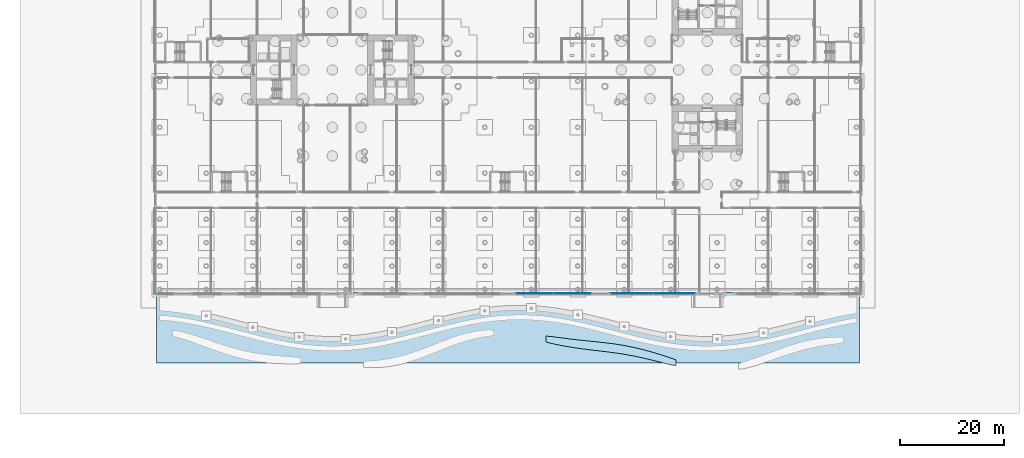
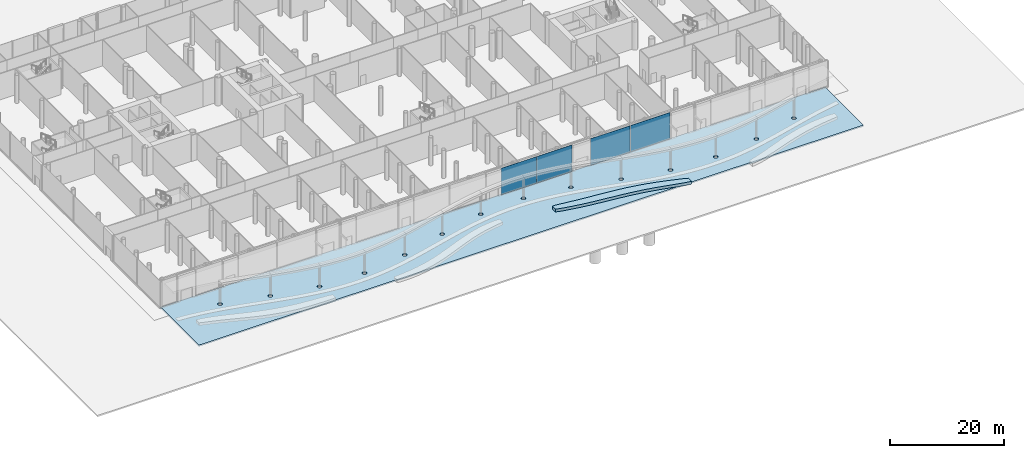
# One storey, part 21 of 75: 4 plates, 2 slabs, 2 elements without a shape of their own.
"""IFC4 building model written with IfcOpenShell, lengths in metres."""

from ifc_helpers import new_model, si_unit, direction, frame, origin, origin_2d, place, context, subcontext, project, spatial, polyline, rectangle, outline, extrude, material, layer, layer_set, type_object, element, aggregate, save


model = new_model("IFC4")

# Units and contexts
model_context = context("Model", 3, precision=1e-05, world=origin(), true_north=direction((0.0, 1.0)))
body_context = subcontext(model_context, "Body", "Model", "MODEL_VIEW")
ifc_project = project(units=[si_unit("LENGTHUNIT", "METRE"), si_unit("AREAUNIT", "SQUARE_METRE"), si_unit("VOLUMEUNIT", "CUBIC_METRE"), si_unit("PLANEANGLEUNIT", "RADIAN"), si_unit("MASSUNIT", "GRAM", prefix="KILO")], contexts=[model_context])

# Site, building, storey
site_placement = place(None, origin())
site = spatial("IfcSite", under=ifc_project, at=site_placement, CompositionType="ELEMENT")
building_placement = place(site_placement, origin())
building = spatial("IfcBuilding", under=site, at=building_placement, Name="Ipe Terrace Towers", CompositionType="ELEMENT")
storey_placement = place(building_placement, origin())
storey = spatial("IfcBuildingStorey", under=building, at=storey_placement, Name="L00", CompositionType="ELEMENT", Elevation=0.0)

# Slab
ifc_material_1 = material(Name="Concrete C30/37", Category="concrete")
ifc_layer_1 = layer(ifc_material_1, 0.60009765625)
ifc_layer_set_1 = layer_set([ifc_layer_1], Name="CURVED PLANTING RIBBON 600")
slab_type_1 = type_object("IfcSlabType", Name="CURVED PLANTING RIBBON 600", PredefinedType="USERDEFINED", material=ifc_layer_set_1)
slab_1_placement = place(storey_placement, origin())
element("IfcSlab", 1, at=slab_1_placement, inside=storey, type_object=slab_type_1, Name="curved planting ribbon", ObjectType="PLANTER", PredefinedType="USERDEFINED", context=body_context, shape_type="SweptSolid", body=[
    extrude(outline(polyline([(5.0, -51.113037109375), (6.0, -51.19091796875), (7.0, -51.323974609375), (8.0, -51.4580078125), (9.0, -51.5869140625), (10.0, -51.7099609375), (11.0, -51.823974609375), (12.0, -51.931884765625), (13.0, -52.035888671875), (14.0, -52.137939453125), (15.0, -52.241943359375), (16.0, -52.35107421875), (17.0, -52.468994140625), (18.0, -52.60107421875), (19.0, -52.748046875), (20.0, -52.9150390625), (21.0, -53.10302734375), (22.0, -53.31298828125), (23.0, -53.544921875), (24.0, -53.799072265625), (25.0, -54.073974609375), (26.0, -54.364990234375), (27.0, -54.6708984375), (28.0, -54.987060546875), (29.0, -55.31396484375), (30.0, -55.695068359375), (30.0, -56.800048828125), (29.0, -56.62890625), (28.0, -56.388916015625), (27.0, -56.136962890625), (26.0, -55.883056640625), (25.0, -55.635009765625), (24.0, -55.39697265625), (23.0, -55.172119140625), (22.0, -54.964111328125), (21.0, -54.77294921875), (20.0, -54.60009765625), (19.0, -54.443115234375), (18.0, -54.300048828125), (17.0, -54.1689453125), (16.0, -54.0458984375), (15.0, -53.927001953125), (14.0, -53.80908203125), (13.0, -53.68798828125), (12.0, -53.56005859375), (11.0, -53.4208984375), (10.0, -53.27099609375), (9.0, -53.10498046875), (8.0, -52.924072265625), (7.0, -52.72509765625), (6.0, -52.506103515625), (5.0, -52.218017578125), (5.0, -51.113037109375)])), origin(), (0.0, 0.0, 1.0), 0.60009765625),
])

# Curtain wall, plates
ifc_material_2 = material(Name="Aluminium alloy 6063-T6", Category="aluminium")
ifc_layer_2 = layer(ifc_material_2, 0.43994140625)
ifc_layer_set_2 = layer_set([ifc_layer_2], Name="PODIUM GLAZING CURTAIN WALL")
curtain_wall_type = type_object("IfcCurtainWallType", Name="PODIUM GLAZING CURTAIN WALL", PredefinedType="NOTDEFINED", material=ifc_layer_set_2)
curtain_wall_1_placement = place(storey_placement, origin())
curtain_wall_1 = element("IfcCurtainWall", 2, at=curtain_wall_1_placement, inside=storey, type_object=curtain_wall_type, Name="POD-CW-L00-03m curtain wall", PredefinedType="NOTDEFINED")
ifc_material_3 = material(Name="Glass, clear laminated", Category="glass")
ifc_layer_3 = layer(ifc_material_3, 0.035888671875)
ifc_layer_set_3 = layer_set([ifc_layer_3], Name="PODIUM GLAZING GLASS PANEL 36")
plate_type = type_object("IfcPlateType", Name="PODIUM GLAZING GLASS PANEL 36", PredefinedType="CURTAIN_PANEL", material=ifc_layer_set_3)
plate_1_placement = place(storey_placement, frame((2.905029296875, -42.89990234375, 0.0), z_axis=(0.0, 0.0, 1.0), x_axis=(1.0, 0.0, 0.0)))
plate_1 = element("IfcPlate", 3, at=plate_1_placement, type_object=plate_type, Name="POD-CW-L00-03m panel 1", PredefinedType="CURTAIN_PANEL", context=body_context, shape_type="SweptSolid", body=[
    extrude(rectangle(XDim=7.14990234375, YDim=0.035888671875, at=origin_2d()), origin(), (0.0, 0.0, 1.0), 5.699951171875),
])
plate_2_placement = place(storey_placement, frame((10.135009765625, -42.89990234375, 0.0), z_axis=(0.0, 0.0, 1.0), x_axis=(1.0, 0.0, 0.0)))
plate_2 = element("IfcPlate", 4, at=plate_2_placement, type_object=plate_type, Name="POD-CW-L00-03m panel 2", PredefinedType="CURTAIN_PANEL", context=body_context, shape_type="SweptSolid", body=[
    extrude(rectangle(XDim=7.14990234375, YDim=0.035888671875, at=origin_2d()), origin(), (0.0, 0.0, 1.0), 5.699951171875),
])
aggregate(curtain_wall_1, [plate_1, plate_2])

curtain_wall_2_placement = place(storey_placement, origin())
curtain_wall_2 = element("IfcCurtainWall", 5, at=curtain_wall_2_placement, inside=storey, type_object=curtain_wall_type, Name="POD-CW-L00-03o curtain wall", PredefinedType="NOTDEFINED")
plate_3_placement = place(storey_placement, frame((21.5, -42.89990234375, 0.0), z_axis=(0.0, 0.0, 1.0), x_axis=(1.0, 0.0, 0.0)))
plate_3 = element("IfcPlate", 6, at=plate_3_placement, type_object=plate_type, Name="POD-CW-L00-03o panel 1", PredefinedType="CURTAIN_PANEL", context=body_context, shape_type="SweptSolid", body=[
    extrude(rectangle(XDim=8.06005859375, YDim=0.035888671875, at=origin_2d()), origin(), (0.0, 0.0, 1.0), 5.699951171875),
])
plate_4_placement = place(storey_placement, frame((29.639892578125, -42.89990234375, 0.0), z_axis=(0.0, 0.0, 1.0), x_axis=(1.0, 0.0, 0.0)))
plate_4 = element("IfcPlate", 7, at=plate_4_placement, type_object=plate_type, Name="POD-CW-L00-03o panel 2", PredefinedType="CURTAIN_PANEL", context=body_context, shape_type="SweptSolid", body=[
    extrude(rectangle(XDim=8.06005859375, YDim=0.035888671875, at=origin_2d()), origin(), (0.0, 0.0, 1.0), 5.699951171875),
])
aggregate(curtain_wall_2, [plate_3, plate_4])

# Slab
ifc_material_4 = material(Name="Concrete C30/37 paving", Category="concrete")
ifc_layer_4 = layer(ifc_material_4, 0.300048828125)
ifc_layer_set_4 = layer_set([ifc_layer_4], Name="PROMENADE PAVING 300")
slab_type_2 = type_object("IfcSlabType", Name="PROMENADE PAVING 300", PredefinedType="USERDEFINED", material=ifc_layer_set_4)
slab_2_placement = place(storey_placement, frame((0.0, 0.0, -0.300048828125)))
element("IfcSlab", 8, at=slab_2_placement, inside=storey, type_object=slab_type_2, Name="waterfront promenade paving", ObjectType="PAVING", PredefinedType="USERDEFINED", context=body_context, shape_type="SweptSolid", body=[
    extrude(outline(polyline([(65.25, -56.25), (65.25, -42.75), (-69.75, -42.75), (-69.75, -56.25), (65.25, -56.25)]), holes=[polyline([(-59.81005859375, -47.18798828125), (-59.818115234375, -47.27001953125), (-59.842041015625, -47.34912109375), (-59.881103515625, -47.4208984375), (-59.93310546875, -47.485107421875), (-59.9970703125, -47.537109375), (-60.069091796875, -47.575927734375), (-60.14794921875, -47.60009765625), (-60.22998046875, -47.60791015625), (-60.31201171875, -47.60009765625), (-60.39111328125, -47.575927734375), (-60.462890625, -47.537109375), (-60.527099609375, -47.485107421875), (-60.5791015625, -47.4208984375), (-60.617919921875, -47.34912109375), (-60.64208984375, -47.27001953125), (-60.64990234375, -47.18798828125), (-60.64208984375, -47.10595703125), (-60.617919921875, -47.027099609375), (-60.5791015625, -46.955078125), (-60.527099609375, -46.89111328125), (-60.462890625, -46.839111328125), (-60.39111328125, -46.800048828125), (-60.31201171875, -46.77587890625), (-60.22998046875, -46.76806640625), (-60.14794921875, -46.77587890625), (-60.069091796875, -46.800048828125), (-59.9970703125, -46.839111328125), (-59.93310546875, -46.89111328125), (-59.881103515625, -46.955078125), (-59.842041015625, -47.027099609375), (-59.818115234375, -47.10595703125), (-59.81005859375, -47.18798828125)]), polyline([(-50.889892578125, -49.43798828125), (-50.89794921875, -49.52001953125), (-50.922119140625, -49.59912109375), (-50.9609375, -49.6708984375), (-51.012939453125, -49.735107421875), (-51.076904296875, -49.787109375), (-51.14892578125, -49.825927734375), (-51.22802734375, -49.85009765625), (-51.31005859375, -49.85791015625), (-51.39208984375, -49.85009765625), (-51.470947265625, -49.825927734375), (-51.54296875, -49.787109375), (-51.60693359375, -49.735107421875), (-51.658935546875, -49.6708984375), (-51.697998046875, -49.59912109375), (-51.721923828125, -49.52001953125), (-51.72998046875, -49.43798828125), (-51.721923828125, -49.35595703125), (-51.697998046875, -49.277099609375), (-51.658935546875, -49.205078125), (-51.60693359375, -49.14111328125), (-51.54296875, -49.089111328125), (-51.470947265625, -49.050048828125), (-51.39208984375, -49.02587890625), (-51.31005859375, -49.01806640625), (-51.22802734375, -49.02587890625), (-51.14892578125, -49.050048828125), (-51.076904296875, -49.089111328125), (-51.012939453125, -49.14111328125), (-50.9609375, -49.205078125), (-50.922119140625, -49.277099609375), (-50.89794921875, -49.35595703125), (-50.889892578125, -49.43798828125)]), polyline([(-41.969970703125, -51.285888671875), (-41.97802734375, -51.367919921875), (-42.001953125, -51.447021484375), (-42.041015625, -51.51904296875), (-42.093017578125, -51.5830078125), (-42.156982421875, -51.635009765625), (-42.22900390625, -51.674072265625), (-42.30810546875, -51.697998046875), (-42.389892578125, -51.7060546875), (-42.471923828125, -51.697998046875), (-42.551025390625, -51.674072265625), (-42.623046875, -51.635009765625), (-42.68701171875, -51.5830078125), (-42.739013671875, -51.51904296875), (-42.778076171875, -51.447021484375), (-42.802001953125, -51.367919921875), (-42.81005859375, -51.285888671875), (-42.802001953125, -51.2041015625), (-42.778076171875, -51.125), (-42.739013671875, -51.052978515625), (-42.68701171875, -50.989013671875), (-42.623046875, -50.93701171875), (-42.551025390625, -50.89794921875), (-42.471923828125, -50.8740234375), (-42.389892578125, -50.865966796875), (-42.30810546875, -50.8740234375), (-42.22900390625, -50.89794921875), (-42.156982421875, -50.93701171875), (-42.093017578125, -50.989013671875), (-42.041015625, -51.052978515625), (-42.001953125, -51.125), (-41.97802734375, -51.2041015625), (-41.969970703125, -51.285888671875)]), polyline([(-33.050048828125, -51.6669921875), (-33.05810546875, -51.7490234375), (-33.08203125, -51.827880859375), (-33.12109375, -51.89990234375), (-33.173095703125, -51.964111328125), (-33.237060546875, -52.01611328125), (-33.30908203125, -52.054931640625), (-33.387939453125, -52.0791015625), (-33.469970703125, -52.0869140625), (-33.552001953125, -52.0791015625), (-33.631103515625, -52.054931640625), (-33.702880859375, -52.01611328125), (-33.76708984375, -51.964111328125), (-33.819091796875, -51.89990234375), (-33.85791015625, -51.827880859375), (-33.882080078125, -51.7490234375), (-33.889892578125, -51.6669921875), (-33.882080078125, -51.5849609375), (-33.85791015625, -51.506103515625), (-33.819091796875, -51.43408203125), (-33.76708984375, -51.3701171875), (-33.702880859375, -51.318115234375), (-33.631103515625, -51.279052734375), (-33.552001953125, -51.2548828125), (-33.469970703125, -51.2470703125), (-33.387939453125, -51.2548828125), (-33.30908203125, -51.279052734375), (-33.237060546875, -51.318115234375), (-33.173095703125, -51.3701171875), (-33.12109375, -51.43408203125), (-33.08203125, -51.506103515625), (-33.05810546875, -51.5849609375), (-33.050048828125, -51.6669921875)]), polyline([(-24.1298828125, -50.363037109375), (-24.137939453125, -50.445068359375), (-24.162109375, -50.52392578125), (-24.200927734375, -50.595947265625), (-24.2529296875, -50.659912109375), (-24.31689453125, -50.7119140625), (-24.388916015625, -50.7509765625), (-24.468017578125, -50.77490234375), (-24.550048828125, -50.782958984375), (-24.632080078125, -50.77490234375), (-24.7109375, -50.7509765625), (-24.782958984375, -50.7119140625), (-24.846923828125, -50.659912109375), (-24.89892578125, -50.595947265625), (-24.93798828125, -50.52392578125), (-24.9619140625, -50.445068359375), (-24.969970703125, -50.363037109375), (-24.9619140625, -50.281005859375), (-24.93798828125, -50.201904296875), (-24.89892578125, -50.1298828125), (-24.846923828125, -50.06591796875), (-24.782958984375, -50.013916015625), (-24.7109375, -49.97509765625), (-24.632080078125, -49.950927734375), (-24.550048828125, -49.943115234375), (-24.468017578125, -49.950927734375), (-24.388916015625, -49.97509765625), (-24.31689453125, -50.013916015625), (-24.2529296875, -50.06591796875), (-24.200927734375, -50.1298828125), (-24.162109375, -50.201904296875), (-24.137939453125, -50.281005859375), (-24.1298828125, -50.363037109375)]), polyline([(-15.2099609375, -48.1240234375), (-15.218017578125, -48.2060546875), (-15.241943359375, -48.284912109375), (-15.281005859375, -48.35693359375), (-15.3330078125, -48.4208984375), (-15.39697265625, -48.472900390625), (-15.468994140625, -48.511962890625), (-15.548095703125, -48.535888671875), (-15.6298828125, -48.5439453125), (-15.7119140625, -48.535888671875), (-15.791015625, -48.511962890625), (-15.863037109375, -48.472900390625), (-15.927001953125, -48.4208984375), (-15.97900390625, -48.35693359375), (-16.01806640625, -48.284912109375), (-16.0419921875, -48.2060546875), (-16.050048828125, -48.1240234375), (-16.0419921875, -48.0419921875), (-16.01806640625, -47.962890625), (-15.97900390625, -47.89111328125), (-15.927001953125, -47.826904296875), (-15.863037109375, -47.77490234375), (-15.791015625, -47.736083984375), (-15.7119140625, -47.7119140625), (-15.6298828125, -47.7041015625), (-15.548095703125, -47.7119140625), (-15.468994140625, -47.736083984375), (-15.39697265625, -47.77490234375), (-15.3330078125, -47.826904296875), (-15.281005859375, -47.89111328125), (-15.241943359375, -47.962890625), (-15.218017578125, -48.0419921875), (-15.2099609375, -48.1240234375)]), polyline([(-6.2900390625, -46.239990234375), (-6.298095703125, -46.322021484375), (-6.322021484375, -46.40087890625), (-6.361083984375, -46.472900390625), (-6.4130859375, -46.537109375), (-6.47705078125, -46.589111328125), (-6.549072265625, -46.6279296875), (-6.6279296875, -46.652099609375), (-6.7099609375, -46.659912109375), (-6.7919921875, -46.652099609375), (-6.87109375, -46.6279296875), (-6.943115234375, -46.589111328125), (-7.007080078125, -46.537109375), (-7.05908203125, -46.472900390625), (-7.097900390625, -46.40087890625), (-7.1220703125, -46.322021484375), (-7.1298828125, -46.239990234375), (-7.1220703125, -46.157958984375), (-7.097900390625, -46.0791015625), (-7.05908203125, -46.007080078125), (-7.007080078125, -45.943115234375), (-6.943115234375, -45.89111328125), (-6.87109375, -45.85205078125), (-6.7919921875, -45.827880859375), (-6.7099609375, -45.820068359375), (-6.6279296875, -45.827880859375), (-6.549072265625, -45.85205078125), (-6.47705078125, -45.89111328125), (-6.4130859375, -45.943115234375), (-6.361083984375, -46.007080078125), (-6.322021484375, -46.0791015625), (-6.298095703125, -46.157958984375), (-6.2900390625, -46.239990234375)]), polyline([(2.6298828125, -45.7958984375), (2.6220703125, -45.8779296875), (2.597900390625, -45.95703125), (2.55908203125, -46.029052734375), (2.507080078125, -46.093017578125), (2.443115234375, -46.14501953125), (2.37109375, -46.18408203125), (2.2919921875, -46.2080078125), (2.2099609375, -46.216064453125), (2.1279296875, -46.2080078125), (2.049072265625, -46.18408203125), (1.97705078125, -46.14501953125), (1.9130859375, -46.093017578125), (1.861083984375, -46.029052734375), (1.822021484375, -45.95703125), (1.798095703125, -45.8779296875), (1.7900390625, -45.7958984375), (1.798095703125, -45.714111328125), (1.822021484375, -45.635009765625), (1.861083984375, -45.56298828125), (1.9130859375, -45.4990234375), (1.97705078125, -45.447021484375), (2.049072265625, -45.407958984375), (2.1279296875, -45.384033203125), (2.2099609375, -45.3759765625), (2.2919921875, -45.384033203125), (2.37109375, -45.407958984375), (2.443115234375, -45.447021484375), (2.507080078125, -45.4990234375), (2.55908203125, -45.56298828125), (2.597900390625, -45.635009765625), (2.6220703125, -45.714111328125), (2.6298828125, -45.7958984375)]), polyline([(11.550048828125, -47.047119140625), (11.5419921875, -47.12890625), (11.51806640625, -47.2080078125), (11.47900390625, -47.280029296875), (11.427001953125, -47.343994140625), (11.363037109375, -47.39599609375), (11.291015625, -47.43505859375), (11.2119140625, -47.458984375), (11.1298828125, -47.467041015625), (11.048095703125, -47.458984375), (10.968994140625, -47.43505859375), (10.89697265625, -47.39599609375), (10.8330078125, -47.343994140625), (10.781005859375, -47.280029296875), (10.741943359375, -47.2080078125), (10.718017578125, -47.12890625), (10.7099609375, -47.047119140625), (10.718017578125, -46.965087890625), (10.741943359375, -46.885986328125), (10.781005859375, -46.81396484375), (10.8330078125, -46.75), (10.89697265625, -46.697998046875), (10.968994140625, -46.658935546875), (11.048095703125, -46.635009765625), (11.1298828125, -46.626953125), (11.2119140625, -46.635009765625), (11.291015625, -46.658935546875), (11.363037109375, -46.697998046875), (11.427001953125, -46.75), (11.47900390625, -46.81396484375), (11.51806640625, -46.885986328125), (11.5419921875, -46.965087890625), (11.550048828125, -47.047119140625)]), polyline([(20.469970703125, -49.27392578125), (20.4619140625, -49.35595703125), (20.43798828125, -49.43505859375), (20.39892578125, -49.507080078125), (20.346923828125, -49.571044921875), (20.282958984375, -49.623046875), (20.2109375, -49.662109375), (20.132080078125, -49.68603515625), (20.050048828125, -49.694091796875), (19.968017578125, -49.68603515625), (19.888916015625, -49.662109375), (19.81689453125, -49.623046875), (19.7529296875, -49.571044921875), (19.700927734375, -49.507080078125), (19.662109375, -49.43505859375), (19.637939453125, -49.35595703125), (19.6298828125, -49.27392578125), (19.637939453125, -49.19189453125), (19.662109375, -49.113037109375), (19.700927734375, -49.041015625), (19.7529296875, -48.97705078125), (19.81689453125, -48.925048828125), (19.888916015625, -48.885986328125), (19.968017578125, -48.862060546875), (20.050048828125, -48.85400390625), (20.132080078125, -48.862060546875), (20.2109375, -48.885986328125), (20.282958984375, -48.925048828125), (20.346923828125, -48.97705078125), (20.39892578125, -49.041015625), (20.43798828125, -49.113037109375), (20.4619140625, -49.19189453125), (20.469970703125, -49.27392578125)]), polyline([(29.389892578125, -51.193115234375), (29.382080078125, -51.27490234375), (29.35791015625, -51.35400390625), (29.319091796875, -51.426025390625), (29.26708984375, -51.489990234375), (29.202880859375, -51.5419921875), (29.131103515625, -51.5810546875), (29.052001953125, -51.60498046875), (28.969970703125, -51.613037109375), (28.887939453125, -51.60498046875), (28.80908203125, -51.5810546875), (28.737060546875, -51.5419921875), (28.673095703125, -51.489990234375), (28.62109375, -51.426025390625), (28.58203125, -51.35400390625), (28.55810546875, -51.27490234375), (28.550048828125, -51.193115234375), (28.55810546875, -51.111083984375), (28.58203125, -51.031982421875), (28.62109375, -50.9599609375), (28.673095703125, -50.89599609375), (28.737060546875, -50.843994140625), (28.80908203125, -50.804931640625), (28.887939453125, -50.781005859375), (28.969970703125, -50.77294921875), (29.052001953125, -50.781005859375), (29.131103515625, -50.804931640625), (29.202880859375, -50.843994140625), (29.26708984375, -50.89599609375), (29.319091796875, -50.9599609375), (29.35791015625, -51.031982421875), (29.382080078125, -51.111083984375), (29.389892578125, -51.193115234375)]), polyline([(38.31005859375, -51.698974609375), (38.302001953125, -51.781005859375), (38.278076171875, -51.860107421875), (38.239013671875, -51.931884765625), (38.18701171875, -51.99609375), (38.123046875, -52.048095703125), (38.051025390625, -52.0869140625), (37.971923828125, -52.111083984375), (37.889892578125, -52.118896484375), (37.80810546875, -52.111083984375), (37.72900390625, -52.0869140625), (37.656982421875, -52.048095703125), (37.593017578125, -51.99609375), (37.541015625, -51.931884765625), (37.501953125, -51.860107421875), (37.47802734375, -51.781005859375), (37.469970703125, -51.698974609375), (37.47802734375, -51.616943359375), (37.501953125, -51.5380859375), (37.541015625, -51.466064453125), (37.593017578125, -51.402099609375), (37.656982421875, -51.35009765625), (37.72900390625, -51.31103515625), (37.80810546875, -51.287109375), (37.889892578125, -51.279052734375), (37.971923828125, -51.287109375), (38.051025390625, -51.31103515625), (38.123046875, -51.35009765625), (38.18701171875, -51.402099609375), (38.239013671875, -51.466064453125), (38.278076171875, -51.5380859375), (38.302001953125, -51.616943359375), (38.31005859375, -51.698974609375)]), polyline([(47.22998046875, -50.5009765625), (47.221923828125, -50.5830078125), (47.197998046875, -50.662109375), (47.158935546875, -50.73388671875), (47.10693359375, -50.798095703125), (47.04296875, -50.85009765625), (46.970947265625, -50.888916015625), (46.89208984375, -50.9130859375), (46.81005859375, -50.9208984375), (46.72802734375, -50.9130859375), (46.64892578125, -50.888916015625), (46.576904296875, -50.85009765625), (46.512939453125, -50.798095703125), (46.4609375, -50.73388671875), (46.422119140625, -50.662109375), (46.39794921875, -50.5830078125), (46.389892578125, -50.5009765625), (46.39794921875, -50.4189453125), (46.422119140625, -50.340087890625), (46.4609375, -50.26806640625), (46.512939453125, -50.2041015625), (46.576904296875, -50.152099609375), (46.64892578125, -50.113037109375), (46.72802734375, -50.089111328125), (46.81005859375, -50.0810546875), (46.89208984375, -50.089111328125), (46.970947265625, -50.113037109375), (47.04296875, -50.152099609375), (47.10693359375, -50.2041015625), (47.158935546875, -50.26806640625), (47.197998046875, -50.340087890625), (47.221923828125, -50.4189453125), (47.22998046875, -50.5009765625)]), polyline([(56.14990234375, -48.2890625), (56.14208984375, -48.37109375), (56.117919921875, -48.449951171875), (56.0791015625, -48.52197265625), (56.027099609375, -48.5859375), (55.962890625, -48.637939453125), (55.89111328125, -48.677001953125), (55.81201171875, -48.700927734375), (55.72998046875, -48.708984375), (55.64794921875, -48.700927734375), (55.569091796875, -48.677001953125), (55.4970703125, -48.637939453125), (55.43310546875, -48.5859375), (55.381103515625, -48.52197265625), (55.342041015625, -48.449951171875), (55.318115234375, -48.37109375), (55.31005859375, -48.2890625), (55.318115234375, -48.20703125), (55.342041015625, -48.1279296875), (55.381103515625, -48.055908203125), (55.43310546875, -47.991943359375), (55.4970703125, -47.93994140625), (55.569091796875, -47.90087890625), (55.64794921875, -47.876953125), (55.72998046875, -47.868896484375), (55.81201171875, -47.876953125), (55.89111328125, -47.90087890625), (55.962890625, -47.93994140625), (56.027099609375, -47.991943359375), (56.0791015625, -48.055908203125), (56.117919921875, -48.1279296875), (56.14208984375, -48.20703125), (56.14990234375, -48.2890625)])]), origin(), (0.0, 0.0, 1.0), 0.300048828125),
])

save(model, "model.ifc")
